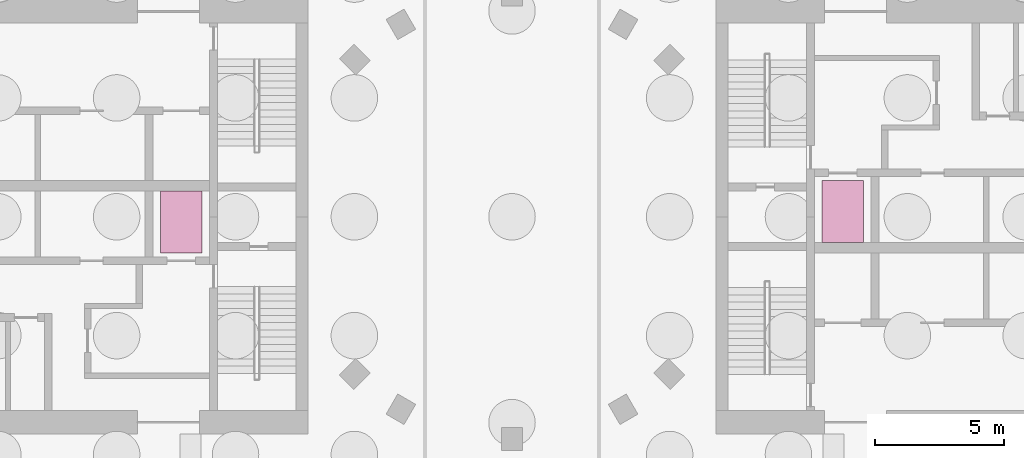
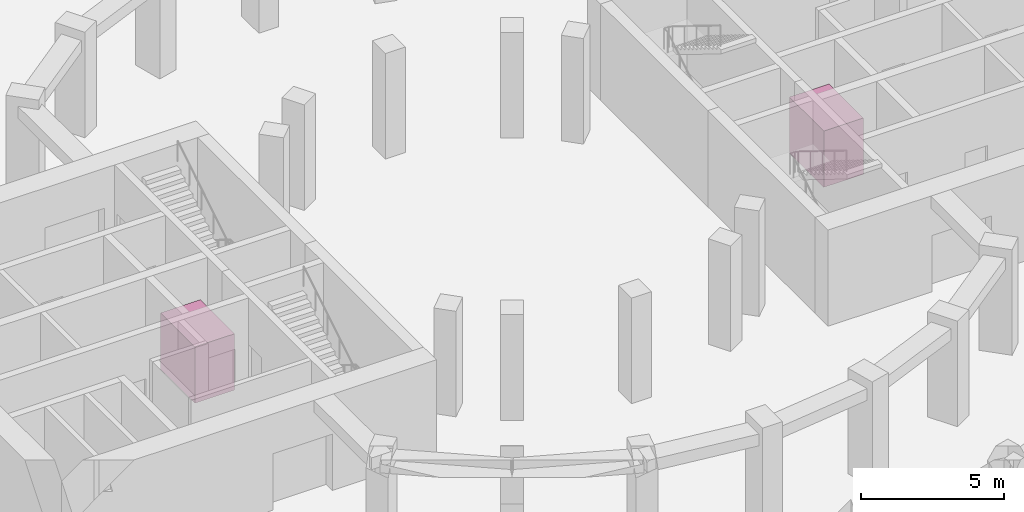
# One storey, part 9 of 9: 2 transport elements.
"""IFC4 building model written with IfcOpenShell, lengths in metres."""

from ifc_helpers import new_model, si_unit, direction, frame, origin, origin_2d, place, context, subcontext, project, spatial, rectangle, extrude, material, type_object, element, save


model = new_model("IFC4")

# Units and contexts
model_context = context("Model", 3, precision=1e-05, world=origin(), true_north=direction((0.0, 1.0)))
body_context = subcontext(model_context, "Body", "Model", "MODEL_VIEW")
ifc_project = project(units=[si_unit("LENGTHUNIT", "METRE"), si_unit("AREAUNIT", "SQUARE_METRE"), si_unit("VOLUMEUNIT", "CUBIC_METRE"), si_unit("PLANEANGLEUNIT", "RADIAN"), si_unit("MASSUNIT", "GRAM", prefix="KILO")], contexts=[model_context])

# Site, building, storey
site_placement = place(None, origin())
site = spatial("IfcSite", under=ifc_project, at=site_placement, CompositionType="ELEMENT")
building_placement = place(site_placement, origin())
building = spatial("IfcBuilding", under=site, at=building_placement, Name="Torre Brocal", CompositionType="ELEMENT")
storey_placement = place(building_placement, frame((0.0, 0.0, -9.0)))
storey = spatial("IfcBuildingStorey", under=building, at=storey_placement, Name="B2", CompositionType="ELEMENT", Elevation=-9.0)

# Transport elements
ifc_material = material(Name="Stainless steel AISI 316", Category="steel")
transport_element_type = type_object("IfcTransportElementType", Name="FIRE FIGHTING LIFT", PredefinedType="ELEVATOR", material=ifc_material)
for number, where, z_axis, x_axis, name in (
    (1, (92.800048828125, 75.199951171875, 0.0), (0.0, 0.0, 1.0), (1.0, 0.0, 0.0), "FIRE FIGHTING LIFT E-FF"),
    (2, (67.199951171875, 74.800048828125, 0.0), (0.0, 0.0, 1.0), (1.0, 0.0, 0.0), "FIRE FIGHTING LIFT W-FF"),
):
    element("IfcTransportElement", number, at=place(storey_placement, frame(where, z_axis=z_axis, x_axis=x_axis)), inside=storey, type_object=transport_element_type, Name=name, PredefinedType="ELEVATOR", context=body_context, shape_type="SweptSolid", body=[
        extrude(rectangle(XDim=1.60009765625, YDim=2.39990234375, at=origin_2d()), origin(), (0.0, 0.0, 1.0), 2.39990234375),
    ])

save(model, "model.ifc")
